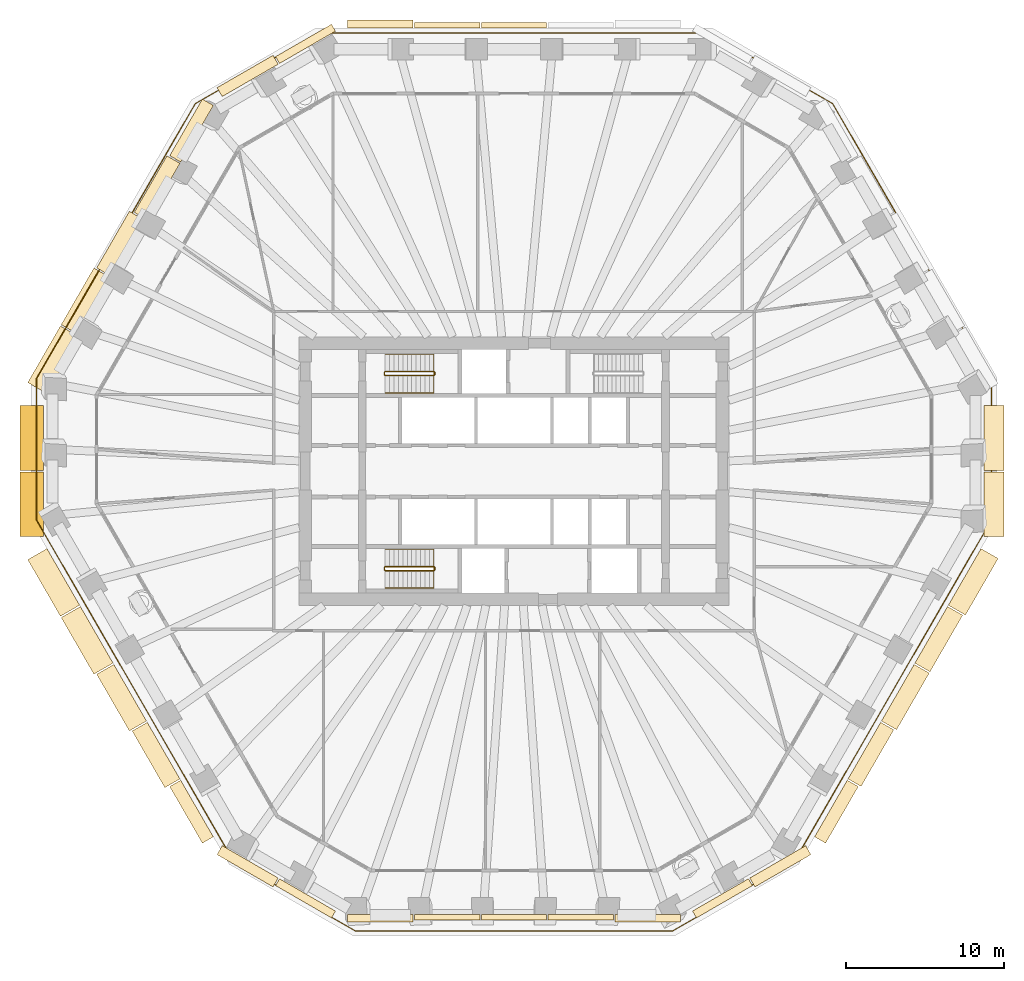
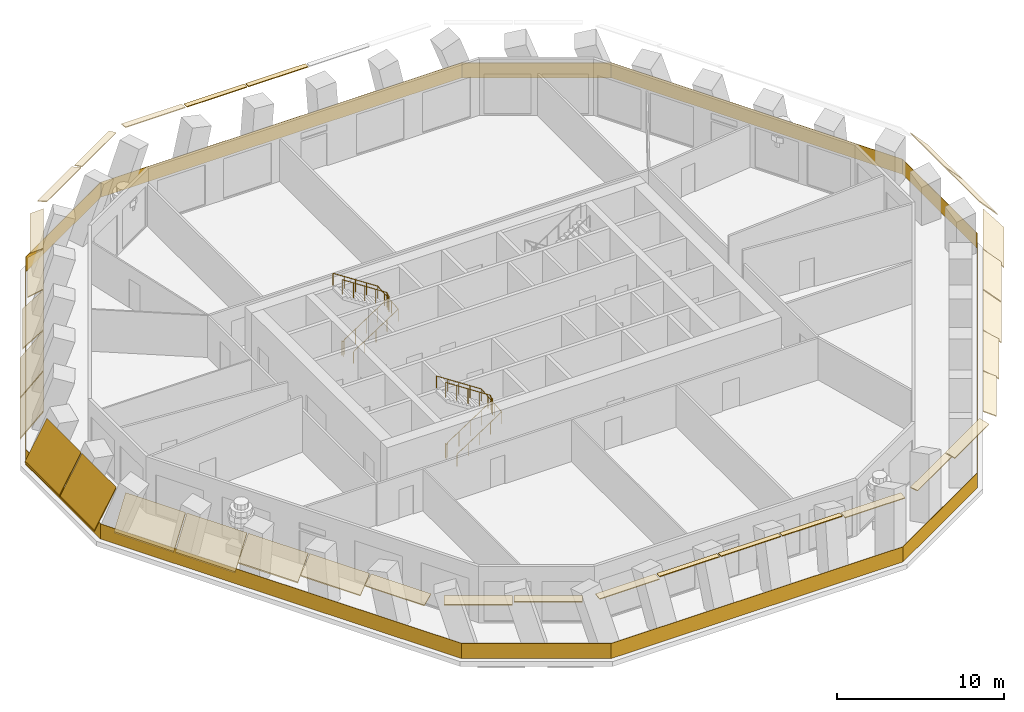
# One storey, part 9 of 12: 33 coverings, 5 railings.
"""IFC4 building model written with IfcOpenShell, lengths in metres."""

from ifc_helpers import new_model, si_unit, direction, frame, origin, origin_2d, place, context, subcontext, project, spatial, polyline, rectangle, circle, outline, extrude, material, layer, layer_set, type_object, element, save


model = new_model("IFC4")

# Units and contexts
model_context = context("Model", 3, precision=1e-05, world=origin(), true_north=direction((0.0, 1.0)))
body_context = subcontext(model_context, "Body", "Model", "MODEL_VIEW")
ifc_project = project(units=[si_unit("LENGTHUNIT", "METRE"), si_unit("AREAUNIT", "SQUARE_METRE"), si_unit("VOLUMEUNIT", "CUBIC_METRE"), si_unit("PLANEANGLEUNIT", "RADIAN"), si_unit("MASSUNIT", "GRAM", prefix="KILO")], contexts=[model_context])

# Site, building, storey
site_placement = place(None, origin())
site = spatial("IfcSite", under=ifc_project, at=site_placement, CompositionType="ELEMENT")
building_placement = place(site_placement, origin())
building = spatial("IfcBuilding", under=site, at=building_placement, Name="Frailejon Research Tower", CompositionType="ELEMENT")
storey_placement = place(building_placement, frame((0.0, 0.0, 135.199951171875)))
storey = spatial("IfcBuildingStorey", under=building, at=storey_placement, Name="L29", CompositionType="ELEMENT", Elevation=135.199951171875)

# Coverings
ifc_material_1 = material(Name="Precast concrete C50/60", Category="concrete")
ifc_layer_1 = layer(ifc_material_1, 0.06005859375)
ifc_layer_set_1 = layer_set([ifc_layer_1], Name="Brim blade depth 1100")
covering_type_1 = type_object("IfcCoveringType", Name="Brim blade depth 1100", PredefinedType="CLADDING", material=ifc_layer_set_1)
for number, where, z_axis, x_axis, name in (
    (1, (-21.14306640625, -19.479248046875, 4.25), (-0.500001996169, 0.866024251293, 0.0), (-0.866024251293, -0.500001996169, 0.0), "Brim blade L29"),
    (2, (25.324951171875, -12.23583984375, 4.25), (-0.500001996169, -0.866024251293, 0.0), (0.866024251293, -0.500001996169, 0.0), "Brim blade L29"),
):
    element("IfcCovering", number, at=place(storey_placement, frame(where, z_axis=z_axis, x_axis=x_axis)), inside=storey, type_object=covering_type_1, Name=name, PredefinedType="CLADDING", context=body_context, shape_type="SweptSolid", body=[
        extrude(outline(polyline([(0.0, -0.078369140625), (1.10009765625, -1.001220703125), (1.10009765625, -0.923095703125), (0.0, 0.0), (0.0, -0.078369140625)])), origin(), (0.0, 0.0, 1.0), 4.132080078125),
    ])
covering_1_placement = place(storey_placement, frame((27.44091796875, -8.57080078125, 4.25), z_axis=(-0.499984274002, -0.866034483003, 0.0), x_axis=(0.866034483003, -0.499984274002, 0.0)))
element("IfcCovering", 3, at=covering_1_placement, inside=storey, type_object=covering_type_1, Name="Brim blade L29", PredefinedType="CLADDING", context=body_context, shape_type="SweptSolid", body=[
    extrude(outline(polyline([(0.0, -0.078369140625), (1.10009765625, -1.001220703125), (1.10009765625, -0.923095703125), (0.0, 0.0), (0.0, -0.078369140625)])), origin(), (0.0, 0.0, 1.0), 4.1318359375),
])
ifc_material_2 = material(Name="Precast concrete C50/60", Category="concrete")
ifc_layer_2 = layer(ifc_material_2, 0.06005859375)
ifc_layer_set_2 = layer_set([ifc_layer_2], Name="Brim blade depth 1250")
covering_type_2 = type_object("IfcCoveringType", Name="Brim blade depth 1250", PredefinedType="CLADDING", material=ifc_layer_set_2)
for number, where, z_axis, x_axis, name in (
    (4, (29.7626953125, -0.050048828125, 4.25), (0.0, -1.0, 0.0), (1.0, 0.0, 0.0), "Brim blade L29"),
    (5, (29.7626953125, 4.1376953125, 4.25), (0.0, -1.0, 0.0), (1.0, 0.0, 0.0), "Brim blade L29"),
):
    element("IfcCovering", number, at=place(storey_placement, frame(where, z_axis=z_axis, x_axis=x_axis)), inside=storey, type_object=covering_type_2, Name=name, PredefinedType="CLADDING", context=body_context, shape_type="SweptSolid", body=[
        extrude(outline(polyline([(0.0, -0.0888671875), (1.25, -1.452880859375), (1.25, -1.364013671875), (0.0, 0.0), (0.0, -0.0888671875)])), origin(), (0.0, 0.0, 1.0), 4.087646484375),
    ])
for number, where, z_axis, x_axis, name in (
    (6, (-25.324951171875, 12.23583984375, 4.25), (0.500001996169, 0.866024251293, 0.0), (-0.866024251293, 0.500001996169, 0.0), "Brim blade L29"),
    (7, (-23.259033203125, -15.814208984375, 4.25), (-0.500001996169, 0.866024251293, 0.0), (-0.866024251293, -0.500001996169, 0.0), "Brim blade L29"),
):
    element("IfcCovering", number, at=place(storey_placement, frame(where, z_axis=z_axis, x_axis=x_axis)), inside=storey, type_object=covering_type_2, Name=name, PredefinedType="CLADDING", context=body_context, shape_type="SweptSolid", body=[
        extrude(outline(polyline([(0.0, -0.0888671875), (1.25, -1.452880859375), (1.25, -1.364013671875), (0.0, 0.0), (0.0, -0.0888671875)])), origin(), (0.0, 0.0, 1.0), 4.132080078125),
    ])
covering_2_placement = place(storey_placement, frame((29.556884765625, -4.906005859375, 4.25), z_axis=(-0.500012227926, -0.866018343873, 0.0), x_axis=(0.866018343873, -0.500012227926, 0.0)))
element("IfcCovering", 8, at=covering_2_placement, inside=storey, type_object=covering_type_2, Name="Brim blade L29", PredefinedType="CLADDING", context=body_context, shape_type="SweptSolid", body=[
    extrude(outline(polyline([(0.0, -0.0888671875), (1.25, -1.452880859375), (1.25, -1.364013671875), (0.0, 0.0), (0.0, -0.0888671875)])), origin(), (0.0, 0.0, 1.0), 4.1318359375),
])
ifc_material_3 = material(Name="Precast concrete C50/60", Category="concrete")
ifc_layer_3 = layer(ifc_material_3, 0.06005859375)
ifc_layer_set_3 = layer_set([ifc_layer_3], Name="Brim blade depth 1400")
covering_type_3 = type_object("IfcCoveringType", Name="Brim blade depth 1400", PredefinedType="CLADDING", material=ifc_layer_set_3)
for number, where, z_axis, x_axis, name in (
    (9, (-27.44091796875, 8.57080078125, 4.25), (0.499984274002, 0.866034483003, 0.0), (-0.866034483003, 0.499984274002, 0.0), "Brim blade L29"),
    (10, (-29.556884765625, 4.906005859375, 4.25), (0.500012227926, 0.866018343873, 0.0), (-0.866018343873, 0.500012227926, 0.0), "Brim blade L29"),
    (11, (-27.490966796875, -8.484130859375, 4.25), (-0.500012227926, 0.866018343873, 0.0), (-0.866018343873, -0.500012227926, 0.0), "Brim blade L29"),
    (12, (-25.375, -12.149169921875, 4.25), (-0.499984274002, 0.866034483003, 0.0), (-0.866034483003, -0.499984274002, 0.0), "Brim blade L29"),
):
    element("IfcCovering", number, at=place(storey_placement, frame(where, z_axis=z_axis, x_axis=x_axis)), inside=storey, type_object=covering_type_3, Name=name, PredefinedType="CLADDING", context=body_context, shape_type="SweptSolid", body=[
        extrude(outline(polyline([(0.0, -0.1044921875), (1.39990234375, -2.10400390625), (1.39990234375, -1.99951171875), (0.0, 0.0), (0.0, -0.1044921875)])), origin(), (0.0, 0.0, 1.0), 4.1318359375),
    ])
ifc_material_4 = material(Name="Precast concrete C50/60", Category="concrete")
ifc_layer_4 = layer(ifc_material_4, 0.06005859375)
ifc_layer_set_4 = layer_set([ifc_layer_4], Name="Brim blade depth 1500")
covering_type_4 = type_object("IfcCoveringType", Name="Brim blade depth 1500", PredefinedType="CLADDING", material=ifc_layer_set_4)
for number, where, z_axis, x_axis, name in (
    (13, (-29.7626953125, 0.050048828125, 4.25), (0.0, 1.0, 0.0), (-1.0, 0.0, 0.0), "Brim blade L29"),
    (14, (-29.7626953125, -4.1376953125, 4.25), (0.0, 1.0, 0.0), (-1.0, 0.0, 0.0), "Brim blade L29"),
):
    element("IfcCovering", number, at=place(storey_placement, frame(where, z_axis=z_axis, x_axis=x_axis)), inside=storey, type_object=covering_type_4, Name=name, PredefinedType="CLADDING", context=body_context, shape_type="SweptSolid", body=[
        extrude(outline(polyline([(0.0, -0.1201171875), (1.5, -2.718017578125), (1.5, -2.59814453125), (0.0, 0.0), (0.0, -0.1201171875)])), origin(), (0.0, 0.0, 1.0), 4.087646484375),
    ])
ifc_material_5 = material(Name="Precast concrete C50/60", Category="concrete")
ifc_layer_5 = layer(ifc_material_5, 0.06005859375)
ifc_layer_set_5 = layer_set([ifc_layer_5], Name="Brim blade depth 350")
covering_type_5 = type_object("IfcCoveringType", Name="Brim blade depth 350", PredefinedType="CLADDING", material=ifc_layer_set_5)
covering_3_placement = place(storey_placement, frame((-2.06591796875, 28.050048828125, 4.25), z_axis=(1.0, 0.0, 0.0), x_axis=(0.0, 1.0, 0.0)))
element("IfcCovering", 15, at=covering_3_placement, inside=storey, type_object=covering_type_5, Name="Brim blade L29", PredefinedType="CLADDING", context=body_context, shape_type="SweptSolid", body=[
    extrude(outline(polyline([(0.0, -0.06005859375), (0.35009765625, -0.06005859375), (0.35009765625, 0.0), (0.0, 0.0), (0.0, -0.06005859375)])), origin(), (0.0, 0.0, 1.0), 4.132080078125),
])
for number, where, z_axis, x_axis, name in (
    (16, (-6.2978515625, 28.050048828125, 4.25), (1.0, 0.0, 0.0), (0.0, 1.0, 0.0), "Brim blade L29"),
    (17, (-2.166015625, -28.050048828125, 4.25), (-1.0, 0.0, 0.0), (0.0, -1.0, 0.0), "Brim blade L29"),
):
    element("IfcCovering", number, at=place(storey_placement, frame(where, z_axis=z_axis, x_axis=x_axis)), inside=storey, type_object=covering_type_5, Name=name, PredefinedType="CLADDING", context=body_context, shape_type="SweptSolid", body=[
        extrude(outline(polyline([(0.0, -0.06005859375), (0.35009765625, -0.06005859375), (0.35009765625, 0.0), (0.0, 0.0), (0.0, -0.06005859375)])), origin(), (0.0, 0.0, 1.0), 4.1318359375),
    ])
covering_4_placement = place(storey_placement, frame((2.06591796875, -28.050048828125, 4.25), z_axis=(-1.0, 0.0, 0.0), x_axis=(0.0, -1.0, 0.0)))
element("IfcCovering", 18, at=covering_4_placement, inside=storey, type_object=covering_type_5, Name="Brim blade L29", PredefinedType="CLADDING", context=body_context, shape_type="SweptSolid", body=[
    extrude(outline(polyline([(0.0, -0.06005859375), (0.35009765625, -0.06005859375), (0.35009765625, 0.0), (0.0, 0.0), (0.0, -0.06005859375)])), origin(), (0.0, 0.0, 1.0), 4.132080078125),
])
covering_5_placement = place(storey_placement, frame((6.2978515625, -28.050048828125, 4.25), z_axis=(-1.0, 0.0, 0.0), x_axis=(0.0, -1.0, 0.0)))
element("IfcCovering", 19, at=covering_5_placement, inside=storey, type_object=covering_type_5, Name="Brim blade L29", PredefinedType="CLADDING", context=body_context, shape_type="SweptSolid", body=[
    extrude(outline(polyline([(0.0, -0.06005859375), (0.35009765625, -0.06005859375), (0.35009765625, 0.0), (0.0, 0.0), (0.0, -0.06005859375)])), origin(), (0.0, 0.0, 1.0), 4.1318359375),
])
ifc_material_6 = material(Name="Precast concrete C50/60", Category="concrete")
ifc_layer_6 = layer(ifc_material_6, 0.06005859375)
ifc_layer_set_6 = layer_set([ifc_layer_6], Name="Brim blade depth 500")
covering_type_6 = type_object("IfcCoveringType", Name="Brim blade depth 500", PredefinedType="CLADDING", material=ifc_layer_set_6)
covering_6_placement = place(storey_placement, frame((-10.52978515625, 28.050048828125, 4.25), z_axis=(1.0, 0.0, 0.0), x_axis=(0.0, 1.0, 0.0)))
element("IfcCovering", 20, at=covering_6_placement, inside=storey, type_object=covering_type_6, Name="Brim blade L29", PredefinedType="CLADDING", context=body_context, shape_type="SweptSolid", body=[
    extrude(outline(polyline([(0.0, -0.060546875), (0.5, -0.130859375), (0.5, -0.0703125), (0.0, 0.0), (0.0, -0.060546875)])), origin(), (0.0, 0.0, 1.0), 4.132080078125),
])
for number, where, z_axis, x_axis, name in (
    (21, (-14.838134765625, 25.80029296875, 4.25), (0.866021344981, 0.500007029989, 0.0), (-0.500007029989, 0.866021344981, 0.0), "Brim blade L29"),
    (22, (-11.298095703125, -27.843994140625, 4.25), (-0.866021344981, 0.500007029989, 0.0), (-0.500007029989, -0.866021344981, 0.0), "Brim blade L29"),
):
    element("IfcCovering", number, at=place(storey_placement, frame(where, z_axis=z_axis, x_axis=x_axis)), inside=storey, type_object=covering_type_6, Name=name, PredefinedType="CLADDING", context=body_context, shape_type="SweptSolid", body=[
        extrude(outline(polyline([(0.0, -0.060546875), (0.5, -0.130859375), (0.5, -0.0703125), (0.0, 0.0), (0.0, -0.060546875)])), origin(), (0.0, 0.0, 1.0), 4.08740234375),
    ])
for number, where, z_axis, x_axis, name in (
    (23, (-6.39794921875, -28.050048828125, 4.25), (-1.0, 0.0, 0.0), (0.0, -1.0, 0.0), "Brim blade L29"),
    (24, (10.52978515625, -28.050048828125, 4.25), (-1.0, 0.0, 0.0), (0.0, -1.0, 0.0), "Brim blade L29"),
):
    element("IfcCovering", number, at=place(storey_placement, frame(where, z_axis=z_axis, x_axis=x_axis)), inside=storey, type_object=covering_type_6, Name=name, PredefinedType="CLADDING", context=body_context, shape_type="SweptSolid", body=[
        extrude(outline(polyline([(0.0, -0.060546875), (0.5, -0.130859375), (0.5, -0.0703125), (0.0, 0.0), (0.0, -0.060546875)])), origin(), (0.0, 0.0, 1.0), 4.132080078125),
    ])
covering_7_placement = place(storey_placement, frame((14.838134765625, -25.80029296875, 4.25), z_axis=(-0.866021344981, -0.500007029989, 0.0), x_axis=(0.500007029989, -0.866021344981, 0.0)))
element("IfcCovering", 25, at=covering_7_placement, inside=storey, type_object=covering_type_6, Name="Brim blade L29", PredefinedType="CLADDING", context=body_context, shape_type="SweptSolid", body=[
    extrude(outline(polyline([(0.0, -0.060546875), (0.5, -0.130859375), (0.5, -0.0703125), (0.0, 0.0), (0.0, -0.060546875)])), origin(), (0.0, 0.0, 1.0), 4.08740234375),
])
ifc_material_7 = material(Name="Precast concrete C50/60", Category="concrete")
ifc_layer_7 = layer(ifc_material_7, 0.06005859375)
ifc_layer_set_7 = layer_set([ifc_layer_7], Name="Brim blade depth 650")
covering_type_7 = type_object("IfcCoveringType", Name="Brim blade depth 650", PredefinedType="CLADDING", material=ifc_layer_set_7)
for number, where, z_axis, x_axis, name in (
    (26, (-18.464599609375, 23.70654296875, 4.25), (0.866021344981, 0.500007029989, 0.0), (-0.500007029989, 0.866021344981, 0.0), "Brim blade L29"),
    (27, (-14.9248046875, -25.750244140625, 4.25), (-0.866021344981, 0.500007029989, 0.0), (-0.500007029989, -0.866021344981, 0.0), "Brim blade L29"),
    (28, (18.464599609375, -23.70654296875, 4.25), (-0.866021344981, -0.500007029989, 0.0), (0.500007029989, -0.866021344981, 0.0), "Brim blade L29"),
):
    element("IfcCovering", number, at=place(storey_placement, frame(where, z_axis=z_axis, x_axis=x_axis)), inside=storey, type_object=covering_type_7, Name=name, PredefinedType="CLADDING", context=body_context, shape_type="SweptSolid", body=[
        extrude(outline(polyline([(0.0, -0.0625), (0.64990234375, -0.248779296875), (0.64990234375, -0.186279296875), (0.0, 0.0), (0.0, -0.0625)])), origin(), (0.0, 0.0, 1.0), 4.08740234375),
    ])
ifc_material_8 = material(Name="Precast concrete C50/60", Category="concrete")
ifc_layer_8 = layer(ifc_material_8, 0.06005859375)
ifc_layer_set_8 = layer_set([ifc_layer_8], Name="Brim blade depth 800")
covering_type_8 = type_object("IfcCoveringType", Name="Brim blade depth 800", PredefinedType="CLADDING", material=ifc_layer_set_8)
for number, where, z_axis, x_axis, name in (
    (29, (-21.093017578125, 19.56591796875, 4.25), (0.500012227926, 0.866018343873, 0.0), (-0.866018343873, 0.500012227926, 0.0), "Brim blade L29"),
    (30, (-19.027099609375, -23.14404296875, 4.25), (-0.500012227926, 0.866018343873, 0.0), (-0.866018343873, -0.500012227926, 0.0), "Brim blade L29"),
    (31, (21.093017578125, -19.56591796875, 4.25), (-0.500012227926, -0.866018343873, 0.0), (0.866018343873, -0.500012227926, 0.0), "Brim blade L29"),
):
    element("IfcCovering", number, at=place(storey_placement, frame(where, z_axis=z_axis, x_axis=x_axis)), inside=storey, type_object=covering_type_8, Name=name, PredefinedType="CLADDING", context=body_context, shape_type="SweptSolid", body=[
        extrude(outline(polyline([(0.0, -0.065673828125), (0.800048828125, -0.421875), (0.800048828125, -0.356201171875), (0.0, 0.0), (0.0, -0.065673828125)])), origin(), (0.0, 0.0, 1.0), 4.1318359375),
    ])
ifc_material_9 = material(Name="Precast concrete C50/60", Category="concrete")
ifc_layer_9 = layer(ifc_material_9, 0.06005859375)
ifc_layer_set_9 = layer_set([ifc_layer_9], Name="Brim blade depth 950")
covering_type_9 = type_object("IfcCoveringType", Name="Brim blade depth 950", PredefinedType="CLADDING", material=ifc_layer_set_9)
for number, where, z_axis, x_axis, name in (
    (32, (-23.208984375, 15.90087890625, 4.25), (0.500001996169, 0.866024251293, 0.0), (-0.866024251293, 0.500001996169, 0.0), "Brim blade L29"),
    (33, (23.208984375, -15.90087890625, 4.25), (-0.500001996169, -0.866024251293, 0.0), (0.866024251293, -0.500001996169, 0.0), "Brim blade L29"),
):
    element("IfcCovering", number, at=place(storey_placement, frame(where, z_axis=z_axis, x_axis=x_axis)), inside=storey, type_object=covering_type_9, Name=name, PredefinedType="CLADDING", context=body_context, shape_type="SweptSolid", body=[
        extrude(outline(polyline([(0.0, -0.07080078125), (0.949951171875, -0.664306640625), (0.949951171875, -0.593505859375), (0.0, 0.0), (0.0, -0.07080078125)])), origin(), (0.0, 0.0, 1.0), 4.132080078125),
    ])

# Railings
ifc_material_10 = material(Name="Laminated glass balustrade", Category="glass")
railing_type_1 = type_object("IfcRailingType", Name="Glass guard 1100", PredefinedType="GUARDRAIL", material=ifc_material_10)
railing_1_placement = place(storey_placement, frame((30.225830078125, -3.07666015625, 0.0)))
element("IfcRailing", 34, at=railing_1_placement, inside=storey, type_object=railing_type_1, Name="Loggia guard L29", PredefinedType="GUARDRAIL", context=body_context, shape_type="SweptSolid", body=[
    extrude(rectangle(XDim=8.9189453125, YDim=0.030029296875, at=origin_2d()), frame((0.0, 4.45947265625, 0.0), z_axis=(0.0, 0.0, 1.0), x_axis=(0.0, 1.0, 0.0)), (0.0, 0.0, 1.0), 1.10009765625),
    extrude(rectangle(XDim=20.10693359375, YDim=0.030029296875, at=origin_2d()), frame((-5.02685546875, 17.62548828125, 0.0), z_axis=(0.0, 0.0, 1.0), x_axis=(-0.500000632, 0.866025038898, 0.0)), (0.0, 0.0, 1.0), 1.10009765625),
    extrude(rectangle(XDim=8.918701171875, YDim=0.030029296875, at=origin_2d()), frame((-13.91552734375, 28.5615234375, 0.0), z_axis=(0.0, 0.0, 1.0), x_axis=(-0.866032876802, 0.49998705613, 0.0)), (0.0, 0.0, 1.0), 1.10009765625),
    extrude(rectangle(XDim=24.89697265625, YDim=0.030029296875, at=origin_2d()), frame((-30.225830078125, 30.791259765625, 0.0), z_axis=(0.0, 0.0, 1.0), x_axis=(-1.0, 0.0, 0.0)), (0.0, 0.0, 1.0), 1.10009765625),
    extrude(rectangle(XDim=8.918701171875, YDim=0.030029296875, at=origin_2d()), frame((-46.5361328125, 28.5615234375, 0.0), z_axis=(0.0, 0.0, 1.0), x_axis=(-0.866032876802, -0.49998705613, 0.0)), (0.0, 0.0, 1.0), 1.10009765625),
    extrude(rectangle(XDim=20.10693359375, YDim=0.030029296875, at=origin_2d()), frame((-55.4248046875, 17.62548828125, 0.0), z_axis=(0.0, 0.0, 1.0), x_axis=(-0.500000632, -0.866025038898, 0.0)), (0.0, 0.0, 1.0), 1.10009765625),
    extrude(rectangle(XDim=8.9189453125, YDim=0.030029296875, at=origin_2d()), frame((-60.45166015625, 4.45947265625, 0.0), z_axis=(0.0, 0.0, 1.0), x_axis=(0.0, -1.0, 0.0)), (0.0, 0.0, 1.0), 1.10009765625),
    extrude(rectangle(XDim=24.89697265625, YDim=0.030029296875, at=origin_2d()), frame((-54.2275390625, -10.78076171875, 0.0), z_axis=(0.0, 0.0, 1.0), x_axis=(0.500002287094, -0.866024083326, 0.0)), (0.0, 0.0, 1.0), 1.10009765625),
    extrude(rectangle(XDim=8.918701171875, YDim=0.030029296875, at=origin_2d()), frame((-44.14111328125, -23.791015625, 0.0), z_axis=(0.0, 0.0, 1.0), x_axis=(0.866021023613, -0.500007586602, 0.0)), (0.0, 0.0, 1.0), 1.10009765625),
    extrude(rectangle(XDim=20.10693359375, YDim=0.030029296875, at=origin_2d()), frame((-30.225830078125, -26.020751953125, 0.0), z_axis=(0.0, 0.0, 1.0), x_axis=(1.0, 0.0, 0.0)), (0.0, 0.0, 1.0), 1.10009765625),
    extrude(rectangle(XDim=8.918701171875, YDim=0.030029296875, at=origin_2d()), frame((-16.310546875, -23.791015625, 0.0), z_axis=(0.0, 0.0, 1.0), x_axis=(0.866021023613, 0.500007586602, 0.0)), (0.0, 0.0, 1.0), 1.10009765625),
    extrude(rectangle(XDim=24.826904296875, YDim=0.030029296875, at=origin_2d()), frame((-6.24169921875, -10.81103515625, 0.0), z_axis=(0.0, 0.0, 1.0), x_axis=(0.500003642221, 0.866023300937, 0.0)), (0.0, 0.0, 1.0), 1.10009765625),
])
ifc_material_11 = material(Name="Stainless steel", Category="steel")
railing_type_2 = type_object("IfcRailingType", Name="Stair guard 1100", PredefinedType="GUARDRAIL", material=ifc_material_11)
railing_2_placement = place(storey_placement, frame((-8.199951171875, 6.25, 0.0)))
element("IfcRailing", 35, at=railing_2_placement, inside=storey, type_object=railing_type_2, Name="L29 ST1 stair guard 1", PredefinedType="GUARDRAIL", context=body_context, shape_type="SweptSolid", body=[
    extrude(circle(Radius=0.02392578125, at=origin_2d()), frame((0.0, 0.0, 1.076171875), z_axis=(0.0, -1.0, 0.0), x_axis=(1.0, 0.0, 0.0)), (0.0, 0.0, 1.0), 0.14990234375),
    extrude(circle(Radius=0.02392578125, at=origin_2d()), frame((0.0, -0.14990234375, 1.076171875), z_axis=(0.254653276557, -0.254653276557, 0.932900539971), x_axis=(0.707106781187, 0.707106781187, 0.0)), (0.0, 0.0, 1.0), 0.196533203125),
    extrude(circle(Radius=0.02392578125, at=origin_2d()), frame((0.050048828125, -0.199951171875, 1.25927734375), z_axis=(0.836613101238, 0.0, 0.547794230379), x_axis=(0.0, 1.0, 0.0)), (0.0, 0.0, 1.0), 3.681396484375),
    extrude(circle(Radius=0.02392578125, at=origin_2d()), frame((3.1298828125, -0.199951171875, 3.27587890625), z_axis=(0.707106781187, 0.707106781187, 0.0), x_axis=(-0.707106781187, 0.707106781187, 0.0)), (0.0, 0.0, 1.0), 0.07080078125),
    extrude(circle(Radius=0.02392578125, at=origin_2d()), frame((3.179931640625, -0.14990234375, 3.27587890625), z_axis=(0.0, 1.0, 0.0), x_axis=(-1.0, 0.0, 0.0)), (0.0, 0.0, 1.0), 0.14990234375),
    extrude(circle(Radius=0.02392578125, at=origin_2d()), frame((3.179931640625, 0.0, 3.27587890625), z_axis=(-0.254653276557, 0.254653276557, 0.932900539971), x_axis=(-0.707106781187, -0.707106781187, 0.0)), (0.0, 0.0, 1.0), 0.196533203125),
    extrude(circle(Radius=0.02392578125, at=origin_2d()), frame((3.1298828125, 0.050048828125, 3.45947265625), z_axis=(-0.836582707638, 0.0, 0.547840645882), x_axis=(0.0, -1.0, 0.0)), (0.0, 0.0, 1.0), 3.681396484375),
    extrude(circle(Radius=0.02099609375, at=origin_2d()), origin(), (0.0, 0.0, 1.0), 1.052001953125),
    extrude(circle(Radius=0.02099609375, at=origin_2d()), frame((0.0, -0.14990234375, 0.0)), (0.0, 0.0, 1.0), 1.052001953125),
    extrude(circle(Radius=0.02099609375, at=origin_2d()), frame((0.050048828125, -0.199951171875, 0.183349609375)), (0.0, 0.0, 1.0), 1.052001953125),
    extrude(circle(Radius=0.02099609375, at=origin_2d()), frame((0.820068359375, -0.199951171875, 0.6875)), (0.0, 0.0, 1.0), 1.052001953125),
    extrude(circle(Radius=0.02099609375, at=origin_2d()), frame((1.58984375, -0.199951171875, 1.191650390625)), (0.0, 0.0, 1.0), 1.052001953125),
    extrude(circle(Radius=0.02099609375, at=origin_2d()), frame((2.35986328125, -0.199951171875, 1.69580078125)), (0.0, 0.0, 1.0), 1.052001953125),
    extrude(circle(Radius=0.02099609375, at=origin_2d()), frame((3.1298828125, -0.199951171875, 2.199951171875)), (0.0, 0.0, 1.0), 1.052001953125),
    extrude(circle(Radius=0.02099609375, at=origin_2d()), frame((3.179931640625, -0.14990234375, 2.199951171875)), (0.0, 0.0, 1.0), 1.052001953125),
    extrude(circle(Radius=0.02099609375, at=origin_2d()), frame((3.179931640625, 0.0, 2.199951171875)), (0.0, 0.0, 1.0), 1.052001953125),
    extrude(circle(Radius=0.02099609375, at=origin_2d()), frame((3.1298828125, 0.050048828125, 2.38330078125)), (0.0, 0.0, 1.0), 1.052001953125),
    extrude(circle(Radius=0.02099609375, at=origin_2d()), frame((2.35986328125, 0.050048828125, 2.887451171875)), (0.0, 0.0, 1.0), 1.052001953125),
    extrude(circle(Radius=0.02099609375, at=origin_2d()), frame((1.58984375, 0.050048828125, 3.3916015625)), (0.0, 0.0, 1.0), 1.052001953125),
    extrude(circle(Radius=0.02099609375, at=origin_2d()), frame((0.820068359375, 0.050048828125, 3.89599609375)), (0.0, 0.0, 1.0), 1.052001953125),
    extrude(circle(Radius=0.02099609375, at=origin_2d()), frame((0.050048828125, 0.050048828125, 4.400146484375)), (0.0, 0.0, 1.0), 1.052001953125),
])
railing_3_placement = place(storey_placement, frame((-8.199951171875, -6.10009765625, 0.0)))
element("IfcRailing", 36, at=railing_3_placement, inside=storey, type_object=railing_type_2, Name="L29 ST2 stair guard 1", PredefinedType="GUARDRAIL", context=body_context, shape_type="SweptSolid", body=[
    extrude(circle(Radius=0.02392578125, at=origin_2d()), frame((0.0, 0.0, 1.076171875), z_axis=(0.0, -1.0, 0.0), x_axis=(1.0, 0.0, 0.0)), (0.0, 0.0, 1.0), 0.14990234375),
    extrude(circle(Radius=0.02392578125, at=origin_2d()), frame((0.0, -0.14990234375, 1.076171875), z_axis=(0.254653276557, -0.254653276557, 0.932900539971), x_axis=(0.707106781187, 0.707106781187, 0.0)), (0.0, 0.0, 1.0), 0.196533203125),
    extrude(circle(Radius=0.02392578125, at=origin_2d()), frame((0.050048828125, -0.199951171875, 1.25927734375), z_axis=(0.836613101238, 0.0, 0.547794230379), x_axis=(0.0, 1.0, 0.0)), (0.0, 0.0, 1.0), 3.681396484375),
    extrude(circle(Radius=0.02392578125, at=origin_2d()), frame((3.1298828125, -0.199951171875, 3.27587890625), z_axis=(0.707106781187, 0.707106781187, 0.0), x_axis=(-0.707106781187, 0.707106781187, 0.0)), (0.0, 0.0, 1.0), 0.07080078125),
    extrude(circle(Radius=0.02392578125, at=origin_2d()), frame((3.179931640625, -0.14990234375, 3.27587890625), z_axis=(0.0, 1.0, 0.0), x_axis=(-1.0, 0.0, 0.0)), (0.0, 0.0, 1.0), 0.14990234375),
    extrude(circle(Radius=0.02392578125, at=origin_2d()), frame((3.179931640625, 0.0, 3.27587890625), z_axis=(-0.254653276557, 0.254653276557, 0.932900539971), x_axis=(-0.707106781187, -0.707106781187, 0.0)), (0.0, 0.0, 1.0), 0.196533203125),
    extrude(circle(Radius=0.02392578125, at=origin_2d()), frame((3.1298828125, 0.050048828125, 3.45947265625), z_axis=(-0.836582707638, 0.0, 0.547840645882), x_axis=(0.0, -1.0, 0.0)), (0.0, 0.0, 1.0), 3.681396484375),
    extrude(circle(Radius=0.02099609375, at=origin_2d()), origin(), (0.0, 0.0, 1.0), 1.052001953125),
    extrude(circle(Radius=0.02099609375, at=origin_2d()), frame((0.0, -0.14990234375, 0.0)), (0.0, 0.0, 1.0), 1.052001953125),
    extrude(circle(Radius=0.02099609375, at=origin_2d()), frame((0.050048828125, -0.199951171875, 0.183349609375)), (0.0, 0.0, 1.0), 1.052001953125),
    extrude(circle(Radius=0.02099609375, at=origin_2d()), frame((0.820068359375, -0.199951171875, 0.6875)), (0.0, 0.0, 1.0), 1.052001953125),
    extrude(circle(Radius=0.02099609375, at=origin_2d()), frame((1.58984375, -0.199951171875, 1.191650390625)), (0.0, 0.0, 1.0), 1.052001953125),
    extrude(circle(Radius=0.02099609375, at=origin_2d()), frame((2.35986328125, -0.199951171875, 1.69580078125)), (0.0, 0.0, 1.0), 1.052001953125),
    extrude(circle(Radius=0.02099609375, at=origin_2d()), frame((3.1298828125, -0.199951171875, 2.199951171875)), (0.0, 0.0, 1.0), 1.052001953125),
    extrude(circle(Radius=0.02099609375, at=origin_2d()), frame((3.179931640625, -0.14990234375, 2.199951171875)), (0.0, 0.0, 1.0), 1.052001953125),
    extrude(circle(Radius=0.02099609375, at=origin_2d()), frame((3.179931640625, 0.0, 2.199951171875)), (0.0, 0.0, 1.0), 1.052001953125),
    extrude(circle(Radius=0.02099609375, at=origin_2d()), frame((3.1298828125, 0.050048828125, 2.38330078125)), (0.0, 0.0, 1.0), 1.052001953125),
    extrude(circle(Radius=0.02099609375, at=origin_2d()), frame((2.35986328125, 0.050048828125, 2.887451171875)), (0.0, 0.0, 1.0), 1.052001953125),
    extrude(circle(Radius=0.02099609375, at=origin_2d()), frame((1.58984375, 0.050048828125, 3.3916015625)), (0.0, 0.0, 1.0), 1.052001953125),
    extrude(circle(Radius=0.02099609375, at=origin_2d()), frame((0.820068359375, 0.050048828125, 3.89599609375)), (0.0, 0.0, 1.0), 1.052001953125),
    extrude(circle(Radius=0.02099609375, at=origin_2d()), frame((0.050048828125, 0.050048828125, 4.400146484375)), (0.0, 0.0, 1.0), 1.052001953125),
])
ifc_material_12 = material(Name="Stainless steel", Category="steel")
railing_type_3 = type_object("IfcRailingType", Name="Stair handrail 900", PredefinedType="HANDRAIL", material=ifc_material_12)
railing_4_placement = place(storey_placement, frame((-8.14990234375, 4.949951171875, 0.183349609375)))
element("IfcRailing", 37, at=railing_4_placement, inside=storey, type_object=railing_type_3, Name="L29 ST1 stair handrail 1", PredefinedType="HANDRAIL", context=body_context, shape_type="SweptSolid", body=[
    extrude(circle(Radius=0.02392578125, at=origin_2d()), frame((0.0, 0.0, 0.8759765625), z_axis=(0.836613101238, 0.0, 0.547794230379), x_axis=(0.0, 1.0, 0.0)), (0.0, 0.0, 1.0), 3.681396484375),
    extrude(circle(Radius=0.02392578125, at=origin_2d()), frame((3.079833984375, 0.0, 2.892578125), z_axis=(0.0, 0.99721134034, 0.074629368868), x_axis=(-1.0, 0.0, 0.0)), (0.0, 0.0, 1.0), 2.456787109375),
    extrude(circle(Radius=0.02392578125, at=origin_2d()), frame((3.079833984375, 2.449951171875, 3.07568359375), z_axis=(-0.836582707638, 0.0, 0.547840645882), x_axis=(0.0, -1.0, 0.0)), (0.0, 0.0, 1.0), 3.681396484375),
    extrude(circle(Radius=0.02099609375, at=origin_2d()), origin(), (0.0, 0.0, 1.0), 0.851806640625),
    extrude(circle(Radius=0.02099609375, at=origin_2d()), frame((0.77001953125, 0.0, 0.504150390625)), (0.0, 0.0, 1.0), 0.851806640625),
    extrude(circle(Radius=0.02099609375, at=origin_2d()), frame((1.5400390625, 0.0, 1.00830078125)), (0.0, 0.0, 1.0), 0.851806640625),
    extrude(circle(Radius=0.02099609375, at=origin_2d()), frame((2.309814453125, 0.0, 1.512451171875)), (0.0, 0.0, 1.0), 0.851806640625),
    extrude(circle(Radius=0.02099609375, at=origin_2d()), frame((3.079833984375, 0.0, 2.0166015625)), (0.0, 0.0, 1.0), 0.851806640625),
    extrude(circle(Radius=0.02099609375, at=origin_2d()), frame((3.079833984375, 0.816650390625, 2.07763671875)), (0.0, 0.0, 1.0), 0.851806640625),
    extrude(circle(Radius=0.02099609375, at=origin_2d()), frame((3.079833984375, 1.63330078125, 2.138916015625)), (0.0, 0.0, 1.0), 0.851806640625),
    extrude(circle(Radius=0.02099609375, at=origin_2d()), frame((3.079833984375, 2.449951171875, 2.199951171875)), (0.0, 0.0, 1.0), 0.851806640625),
    extrude(circle(Radius=0.02099609375, at=origin_2d()), frame((2.309814453125, 2.449951171875, 2.7041015625)), (0.0, 0.0, 1.0), 0.851806640625),
    extrude(circle(Radius=0.02099609375, at=origin_2d()), frame((1.5400390625, 2.449951171875, 3.20849609375)), (0.0, 0.0, 1.0), 0.851806640625),
    extrude(circle(Radius=0.02099609375, at=origin_2d()), frame((0.77001953125, 2.449951171875, 3.712646484375)), (0.0, 0.0, 1.0), 0.851806640625),
    extrude(circle(Radius=0.02099609375, at=origin_2d()), frame((0.0, 2.449951171875, 4.216796875)), (0.0, 0.0, 1.0), 0.851806640625),
])
railing_5_placement = place(storey_placement, frame((-8.14990234375, -7.39990234375, 0.183349609375)))
element("IfcRailing", 38, at=railing_5_placement, inside=storey, type_object=railing_type_3, Name="L29 ST2 stair handrail 1", PredefinedType="HANDRAIL", context=body_context, shape_type="SweptSolid", body=[
    extrude(circle(Radius=0.02392578125, at=origin_2d()), frame((0.0, 0.0, 0.8759765625), z_axis=(0.836613101238, 0.0, 0.547794230379), x_axis=(0.0, 1.0, 0.0)), (0.0, 0.0, 1.0), 3.681396484375),
    extrude(circle(Radius=0.02392578125, at=origin_2d()), frame((3.079833984375, 0.0, 2.892578125), z_axis=(0.0, 0.99721134034, 0.074629368868), x_axis=(-1.0, 0.0, 0.0)), (0.0, 0.0, 1.0), 2.456787109375),
    extrude(circle(Radius=0.02392578125, at=origin_2d()), frame((3.079833984375, 2.449951171875, 3.07568359375), z_axis=(-0.836582707638, 0.0, 0.547840645882), x_axis=(0.0, -1.0, 0.0)), (0.0, 0.0, 1.0), 3.681396484375),
    extrude(circle(Radius=0.02099609375, at=origin_2d()), origin(), (0.0, 0.0, 1.0), 0.851806640625),
    extrude(circle(Radius=0.02099609375, at=origin_2d()), frame((0.77001953125, 0.0, 0.504150390625)), (0.0, 0.0, 1.0), 0.851806640625),
    extrude(circle(Radius=0.02099609375, at=origin_2d()), frame((1.5400390625, 0.0, 1.00830078125)), (0.0, 0.0, 1.0), 0.851806640625),
    extrude(circle(Radius=0.02099609375, at=origin_2d()), frame((2.309814453125, 0.0, 1.512451171875)), (0.0, 0.0, 1.0), 0.851806640625),
    extrude(circle(Radius=0.02099609375, at=origin_2d()), frame((3.079833984375, 0.0, 2.0166015625)), (0.0, 0.0, 1.0), 0.851806640625),
    extrude(circle(Radius=0.02099609375, at=origin_2d()), frame((3.079833984375, 0.816650390625, 2.07763671875)), (0.0, 0.0, 1.0), 0.851806640625),
    extrude(circle(Radius=0.02099609375, at=origin_2d()), frame((3.079833984375, 1.63330078125, 2.138916015625)), (0.0, 0.0, 1.0), 0.851806640625),
    extrude(circle(Radius=0.02099609375, at=origin_2d()), frame((3.079833984375, 2.449951171875, 2.199951171875)), (0.0, 0.0, 1.0), 0.851806640625),
    extrude(circle(Radius=0.02099609375, at=origin_2d()), frame((2.309814453125, 2.449951171875, 2.7041015625)), (0.0, 0.0, 1.0), 0.851806640625),
    extrude(circle(Radius=0.02099609375, at=origin_2d()), frame((1.5400390625, 2.449951171875, 3.20849609375)), (0.0, 0.0, 1.0), 0.851806640625),
    extrude(circle(Radius=0.02099609375, at=origin_2d()), frame((0.77001953125, 2.449951171875, 3.712646484375)), (0.0, 0.0, 1.0), 0.851806640625),
    extrude(circle(Radius=0.02099609375, at=origin_2d()), frame((0.0, 2.449951171875, 4.216796875)), (0.0, 0.0, 1.0), 0.851806640625),
])

save(model, "model.ifc")
